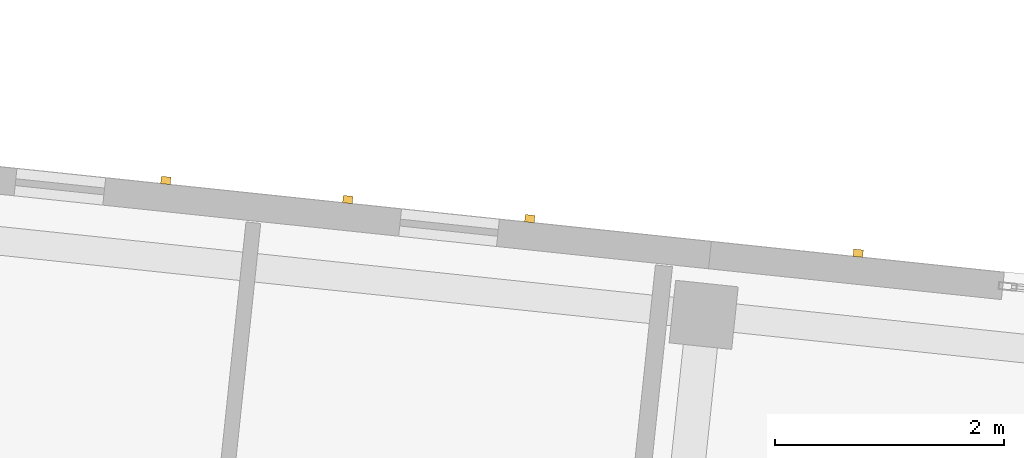
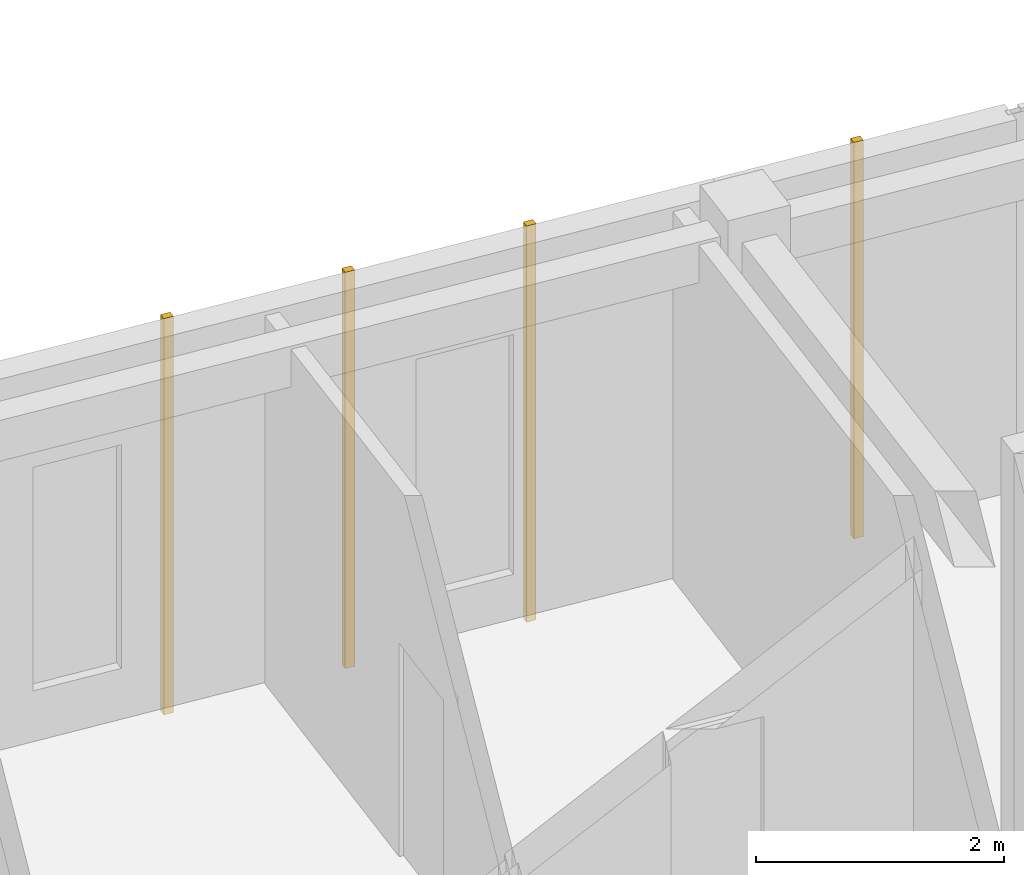
# One storey, part 149 of 150: 4 coverings.
"""IFC4 building model written with IfcOpenShell, lengths in metres."""

from ifc_helpers import new_model, si_unit, direction, frame, origin, origin_2d, place, context, subcontext, project, spatial, rectangle, extrude, material, layer, layer_set, type_object, element, save


model = new_model("IFC4")

# Units and contexts
model_context = context("Model", 3, precision=1e-05, world=origin(), true_north=direction((0.0, 1.0)))
body_context = subcontext(model_context, "Body", "Model", "MODEL_VIEW")
ifc_project = project(units=[si_unit("LENGTHUNIT", "METRE"), si_unit("AREAUNIT", "SQUARE_METRE"), si_unit("VOLUMEUNIT", "CUBIC_METRE"), si_unit("PLANEANGLEUNIT", "RADIAN"), si_unit("MASSUNIT", "GRAM", prefix="KILO")], contexts=[model_context])

# Site, building, storey
site_placement = place(None, origin())
site = spatial("IfcSite", under=ifc_project, at=site_placement, CompositionType="ELEMENT")
building_placement = place(site_placement, origin())
building = spatial("IfcBuilding", under=site, at=building_placement, Name="Kestramere Prow Commons", CompositionType="ELEMENT")
storey_placement = place(building_placement, frame((0.0, 0.0, 4.5)))
storey = spatial("IfcBuildingStorey", under=building, at=storey_placement, Name="L01", CompositionType="ELEMENT", Elevation=4.5)

# Coverings
ifc_material = material(Name="Weathered Zinc-Titanium Standing-Seam Cladding")
ifc_layer = layer(ifc_material, 0.074951171875)
ifc_layer_set = layer_set([ifc_layer], Name="Weathered Zinc-Titanium Standing-Seam Cladding")
covering_type = type_object("IfcCoveringType", Name="COV-CLAD-SEAM", PredefinedType="CLADDING", material=ifc_layer_set)
for number, where, z_axis, x_axis, name in (
    (1, (131.21435546875, 112.95947265625, -0.25), (0.0, 0.0, 1.0), (0.994521895368, -0.104528463268, 0.0), "EW-B-L01-N-2 Standing-Seam Rib 2"),
    (2, (132.8056640625, 112.792236328125, -0.25), (0.0, 0.0, 1.0), (0.994521895368, -0.104528463268, 0.0), "EW-B-L01-N-2 Standing-Seam Rib 3"),
    (3, (134.39697265625, 112.625, -0.25), (0.0, 0.0, 1.0), (0.994521895368, -0.104528463268, 0.0), "EW-B-L01-N-2 Standing-Seam Rib 4"),
    (4, (137.2685546875, 112.3232421875, -0.25), (0.0, 0.0, 1.0), (0.994521895368, -0.104528463268, 0.0), "EW-B-L01-NP-3-L Standing-Seam Rib 1"),
):
    element("IfcCovering", number, at=place(storey_placement, frame(where, z_axis=z_axis, x_axis=x_axis)), inside=storey, type_object=covering_type, Name=name, PredefinedType="CLADDING", context=body_context, shape_type="SweptSolid", body=[
        extrude(rectangle(XDim=0.0849609375, YDim=0.06494140625, at=origin_2d()), origin(), (0.0, 0.0, 1.0), 3.89990234375),
    ])

save(model, "model.ifc")
